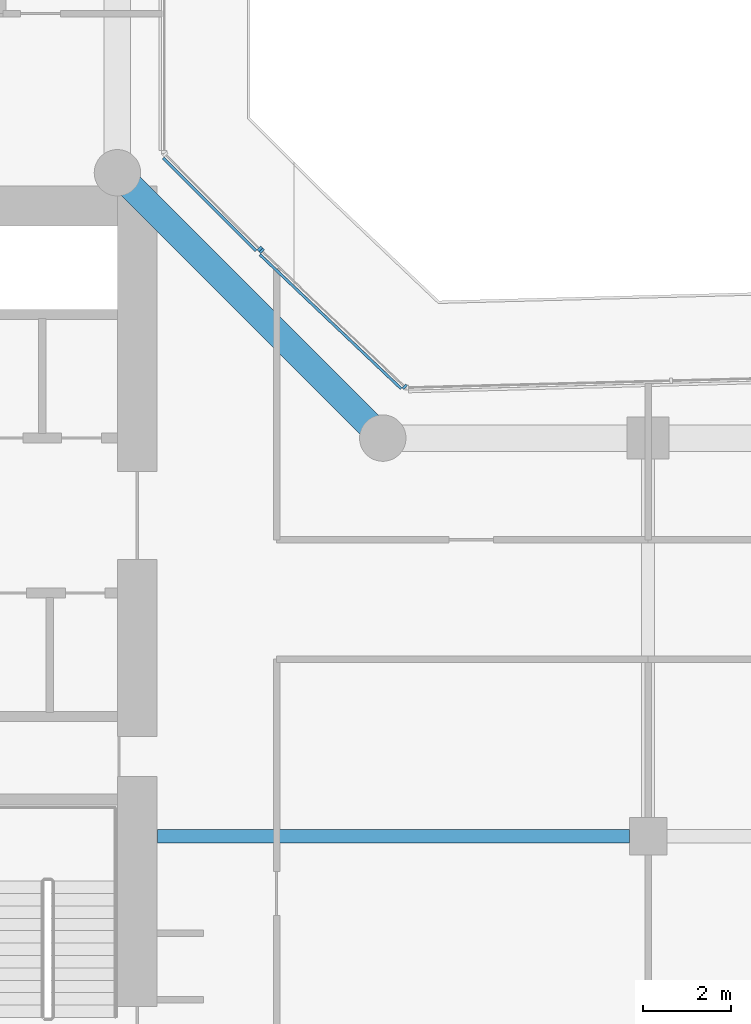
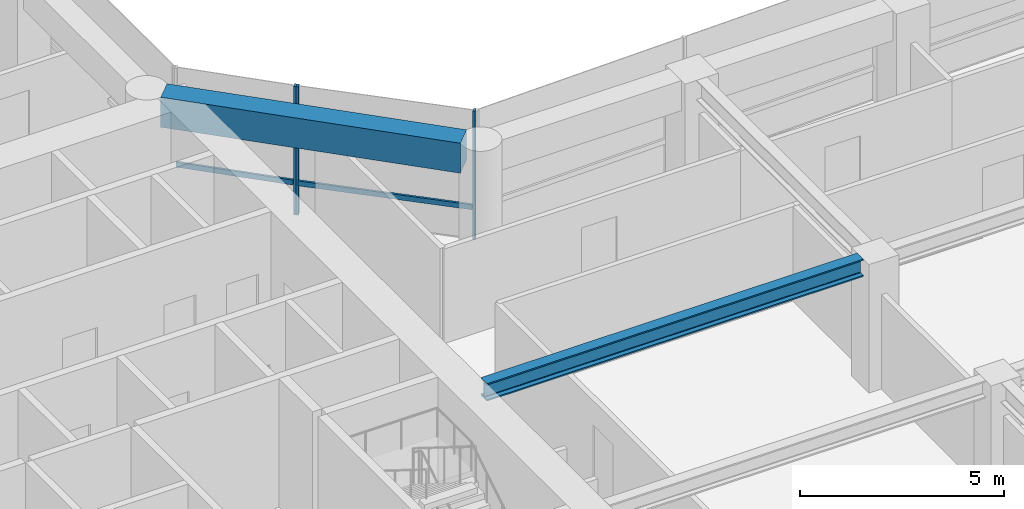
# One storey, part 6 of 29: 5 members, 2 beams, 2 elements without a shape of their own.
"""IFC4 building model written with IfcOpenShell, lengths in metres."""

from ifc_helpers import new_model, si_unit, direction, frame, origin, origin_2d, place, context, subcontext, project, spatial, rectangle, i_section, extrude, material, layer, layer_set, material_profile, profile_set, type_object, element, aggregate, save


model = new_model("IFC4")

# Units and contexts
model_context = context("Model", 3, precision=1e-05, world=origin(), true_north=direction((0.0, 1.0)))
body_context = subcontext(model_context, "Body", "Model", "MODEL_VIEW")
ifc_project = project(units=[si_unit("LENGTHUNIT", "METRE"), si_unit("AREAUNIT", "SQUARE_METRE"), si_unit("VOLUMEUNIT", "CUBIC_METRE"), si_unit("PLANEANGLEUNIT", "RADIAN"), si_unit("MASSUNIT", "GRAM", prefix="KILO")], contexts=[model_context])

# Site, building, storey
site_placement = place(None, origin())
site = spatial("IfcSite", under=ifc_project, at=site_placement, CompositionType="ELEMENT")
building_placement = place(site_placement, origin())
building = spatial("IfcBuilding", under=site, at=building_placement, Name="Welwitschia Terrace Campus", CompositionType="ELEMENT")
storey_placement = place(building_placement, frame((0.0, 0.0, 58.39990234375)))
storey = spatial("IfcBuildingStorey", under=building, at=storey_placement, Name="L13", CompositionType="ELEMENT", Elevation=58.39990234375)

# Beam
ifc_material_1 = material(Name="Steel S355", Category="steel")
ifc_material_profile_1 = material_profile(ifc_material_1, i_section(OverallWidth=0.305908203125, OverallDepth=0.52392578125, WebThickness=0.02099609375, FlangeThickness=0.0400390625, FilletRadius=0.027099609375, at=origin_2d()))
ifc_profile_set_1 = profile_set([ifc_material_profile_1], Name="Steel S355")
beam_type_1 = type_object("IfcBeamType", Name="Interior girder HE 500 M", PredefinedType="BEAM", material=ifc_profile_set_1)
beam_1_placement = place(storey_placement, frame((24.90087890625, 11.0, 3.588134765625), z_axis=(1.0, 0.0, 0.0), x_axis=(0.0, 1.0, 0.0)))
element("IfcBeam", 1, at=beam_1_placement, inside=storey, type_object=beam_type_1, Name="Girder GB2", PredefinedType="BEAM", context=body_context, shape_type="SweptSolid", body=[
    extrude(i_section(OverallWidth=0.305908203125, OverallDepth=0.52392578125, WebThickness=0.02099609375, FlangeThickness=0.0400390625, FilletRadius=0.027099609375, at=origin_2d()), origin(), (0.0, 0.0, 1.0), 10.673583984375),
])

# Curtain wall, members
ifc_material_2 = material(Name="Bronze anodised aluminium", Category="aluminium")
ifc_layer = layer(ifc_material_2, 0.1201171875)
ifc_layer_set = layer_set([ifc_layer], Name="Bronze anodised aluminium")
curtain_wall_type = type_object("IfcCurtainWallType", Name="Curtain wall CW2 tower 6000", PredefinedType="NOTDEFINED", material=ifc_layer_set)
curtain_wall_1_placement = place(storey_placement, origin())
curtain_wall_1 = element("IfcCurtainWall", 2, at=curtain_wall_1_placement, inside=storey, type_object=curtain_wall_type, Name="CW L13.8.0", PredefinedType="NOTDEFINED")
ifc_material_3 = material(Name="Bronze anodised aluminium", Category="aluminium")
ifc_material_profile_2 = material_profile(ifc_material_3, rectangle(XDim=0.1201171875, YDim=0.06005859375, at=origin_2d()))
ifc_profile_set_2 = profile_set([ifc_material_profile_2], Name="Bronze anodised aluminium")
member_type_1 = type_object("IfcMemberType", Name="Mullion 60x120", PredefinedType="MULLION", material=ifc_profile_set_2)
member_1_placement = place(storey_placement, frame((30.499755859375, 21.162841796875, 0.0), z_axis=(0.0, 0.0, 1.0), x_axis=(-0.688354575694, -0.725374371012, 0.0)))
member_1 = element("IfcMember", 3, at=member_1_placement, type_object=member_type_1, Name="Mullion L13.8.0.0", PredefinedType="MULLION", context=body_context, shape_type="SweptSolid", body=[
    extrude(rectangle(XDim=0.1201171875, YDim=0.06005859375, at=origin_2d()), origin(), (0.0, 0.0, 1.0), 3.85009765625),
])
member_2_placement = place(storey_placement, frame((27.261962890625, 24.2353515625, 0.0), z_axis=(0.0, 0.0, 1.0), x_axis=(-0.688354575694, -0.725374371012, 0.0)))
member_2 = element("IfcMember", 4, at=member_2_placement, type_object=member_type_1, Name="Mullion L13.8.0.1", PredefinedType="MULLION", context=body_context, shape_type="SweptSolid", body=[
    extrude(rectangle(XDim=0.1201171875, YDim=0.06005859375, at=origin_2d()), origin(), (0.0, 0.0, 1.0), 3.85009765625),
])

# Curtain wall, member
curtain_wall_2_placement = place(storey_placement, origin())
curtain_wall_2 = element("IfcCurtainWall", 5, at=curtain_wall_2_placement, inside=storey, type_object=curtain_wall_type, Name="CW L13.9.0", PredefinedType="NOTDEFINED")
member_3_placement = place(storey_placement, frame((27.218994140625, 24.27734375, 0.0), z_axis=(0.0, 0.0, 1.0), x_axis=(-0.707106781187, -0.707106781187, 0.0)))
member_3 = element("IfcMember", 6, at=member_3_placement, type_object=member_type_1, Name="Mullion L13.9.0.0", PredefinedType="MULLION", context=body_context, shape_type="SweptSolid", body=[
    extrude(rectangle(XDim=0.1201171875, YDim=0.06005859375, at=origin_2d()), origin(), (0.0, 0.0, 1.0), 3.85009765625),
])

# Beam
ifc_material_4 = material(Name="Concrete C60/75", Category="concrete")
ifc_material_profile_3 = material_profile(ifc_material_4, rectangle(XDim=0.60009765625, YDim=0.89990234375, at=origin_2d()))
ifc_profile_set_3 = profile_set([ifc_material_profile_3], Name="Concrete C60/75")
beam_type_2 = type_object("IfcBeamType", Name="Ring spandrel 600x900", PredefinedType="SPANDREL", material=ifc_profile_set_3)
beam_2_placement = place(storey_placement, frame((29.69482421875, 20.30517578125, 3.400146484375), z_axis=(-0.707106781187, 0.707106781187, 0.0), x_axis=(-0.707106781187, -0.707106781187, 0.0)))
element("IfcBeam", 7, at=beam_2_placement, inside=storey, type_object=beam_type_2, Name="Spandrel SP2", PredefinedType="SPANDREL", context=body_context, shape_type="SweptSolid", body=[
    extrude(rectangle(XDim=0.60009765625, YDim=0.89990234375, at=origin_2d()), origin(), (0.0, 0.0, 1.0), 7.6220703125),
])

# Member
ifc_material_5 = material(Name="Bronze anodised aluminium", Category="aluminium")
ifc_material_profile_4 = material_profile(ifc_material_5, rectangle(XDim=0.06005859375, YDim=0.14990234375, at=origin_2d()))
ifc_profile_set_4 = profile_set([ifc_material_profile_4], Name="Bronze anodised aluminium")
member_type_2 = type_object("IfcMemberType", Name="Transom 60x150", PredefinedType="USERDEFINED", material=ifc_profile_set_4)
member_4_placement = place(storey_placement, frame((30.416259765625, 21.1181640625, 1.0), z_axis=(-0.725407624965, 0.688319531644, 0.0), x_axis=(-0.688319531644, -0.725407624965, 0.0)))
member_4 = element("IfcMember", 8, at=member_4_placement, type_object=member_type_2, Name="Transom L13.8.0", ObjectType="TRANSOM", PredefinedType="USERDEFINED", context=body_context, shape_type="SweptSolid", body=[
    extrude(rectangle(XDim=0.06005859375, YDim=0.14990234375, at=origin_2d()), origin(), (0.0, 0.0, 1.0), 4.40380859375),
])

aggregate(curtain_wall_1, [member_1, member_2, member_4])

member_5_placement = place(storey_placement, frame((27.134033203125, 24.23486328125, 1.0), z_axis=(-0.707065623666, 0.707147936312, 0.0), x_axis=(-0.707147936312, -0.707065623666, 0.0)))
member_5 = element("IfcMember", 9, at=member_5_placement, type_object=member_type_2, Name="Transom L13.9.0", ObjectType="TRANSOM", PredefinedType="USERDEFINED", context=body_context, shape_type="SweptSolid", body=[
    extrude(rectangle(XDim=0.06005859375, YDim=0.14990234375, at=origin_2d()), origin(), (0.0, 0.0, 1.0), 2.966064453125),
])

aggregate(curtain_wall_2, [member_3, member_5])

save(model, "model.ifc")
